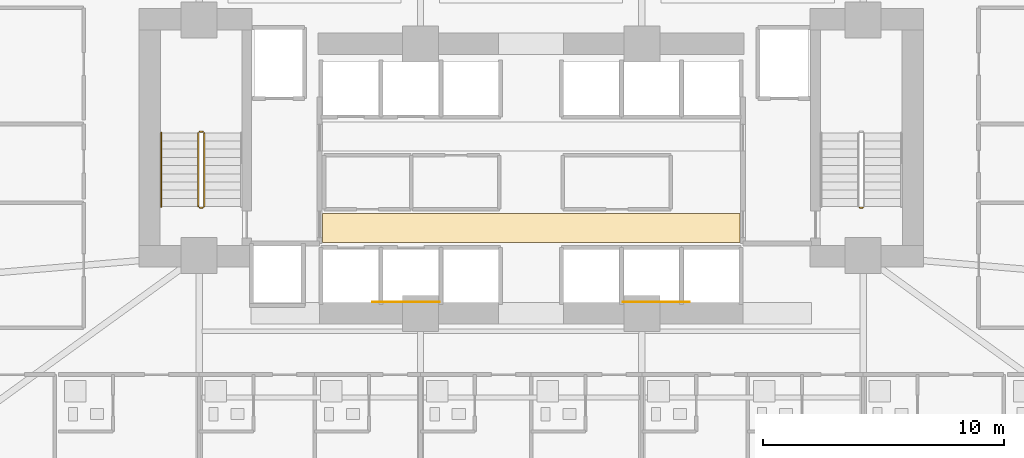
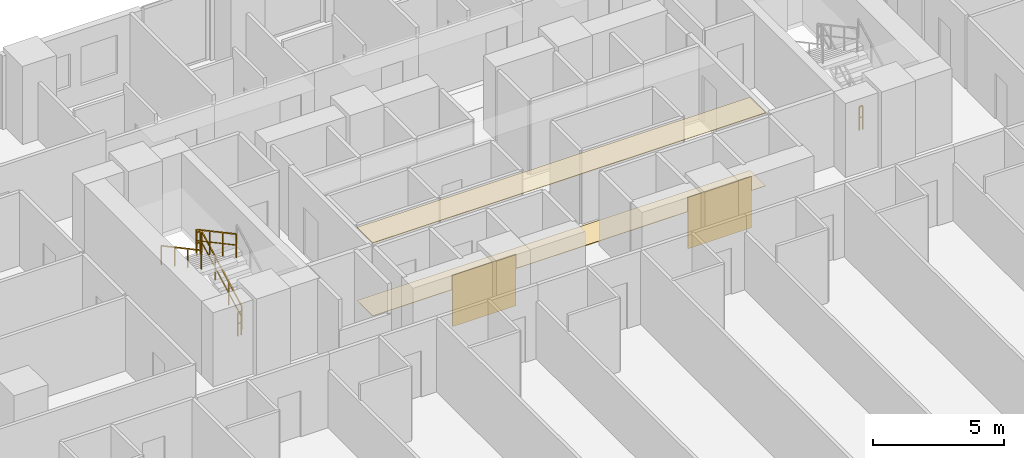
# One storey, part 26 of 29: 6 railings, 4 coverings.
"""IFC4 building model written with IfcOpenShell, lengths in metres."""

from ifc_helpers import new_model, si_unit, direction, frame, origin, origin_2d, place, context, subcontext, project, spatial, polyline, rectangle, outline, extrude, material, layer, layer_set, type_object, element, save


model = new_model("IFC4")

# Units and contexts
model_context = context("Model", 3, precision=1e-05, world=origin(), true_north=direction((0.0, 1.0)))
body_context = subcontext(model_context, "Body", "Model", "MODEL_VIEW")
ifc_project = project(units=[si_unit("LENGTHUNIT", "METRE"), si_unit("AREAUNIT", "SQUARE_METRE"), si_unit("VOLUMEUNIT", "CUBIC_METRE"), si_unit("PLANEANGLEUNIT", "RADIAN"), si_unit("MASSUNIT", "GRAM", prefix="KILO")], contexts=[model_context])

# Site, building, storey
site_placement = place(None, origin())
site = spatial("IfcSite", under=ifc_project, at=site_placement, CompositionType="ELEMENT")
building_placement = place(site_placement, origin())
building = spatial("IfcBuilding", under=site, at=building_placement, Name="Zuhayl Quay Hotel", CompositionType="ELEMENT")
storey_placement = place(building_placement, frame((0.0, 0.0, 64.10009765625)))
storey = spatial("IfcBuildingStorey", under=building, at=storey_placement, Name="L15", CompositionType="ELEMENT", Elevation=64.10009765625)

# Coverings
ifc_material_1 = material(Name="Acoustic Mineral-Fibre Gypsum Board")
ifc_layer_1 = layer(ifc_material_1, 0.02490234375, Name="Acoustic Mineral-Fibre Gypsum Board")
ifc_layer_set_1 = layer_set([ifc_layer_1], Name="Acoustic Mineral-Fibre Gypsum Board")
covering_type_1 = type_object("IfcCoveringType", Name="CV_CEIL_ACOUSTIC", PredefinedType="CEILING", material=ifc_layer_set_1)
covering_1_placement = place(storey_placement, frame((0.0, 0.0, 3.40478515625)))
element("IfcCovering", 1, at=covering_1_placement, inside=storey, type_object=covering_type_1, Name="L15 Suspended Acoustic Lobby Ceiling S", PredefinedType="CEILING", context=body_context, shape_type="SweptSolid", body=[
    extrude(outline(polyline([(-8.679931640625, 5.10009765625), (8.679931640625, 5.10009765625), (8.679931640625, 6.300048828125), (-8.679931640625, 6.300048828125), (-8.679931640625, 5.10009765625)])), origin(), (0.0, 0.0, 1.0), 0.025146484375),
])
ifc_material_2 = material(Name="Polished Limestone Terrazzo", Category="masonry")
ifc_layer_2 = layer(ifc_material_2, 0.02001953125, Name="Polished Limestone Terrazzo", Category="masonry")
ifc_layer_set_2 = layer_set([ifc_layer_2], Name="Polished Limestone Terrazzo")
covering_type_2 = type_object("IfcCoveringType", Name="CV_FLOOR_TERRAZZO", PredefinedType="FLOORING", material=ifc_layer_set_2)
covering_2_placement = place(storey_placement, origin())
element("IfcCovering", 2, at=covering_2_placement, inside=storey, type_object=covering_type_2, Name="L15 Honed Limestone Terrazzo Lobby Flooring S", PredefinedType="FLOORING", context=body_context, shape_type="SweptSolid", body=[
    extrude(outline(polyline([(-8.679931640625, 5.10009765625), (8.679931640625, 5.10009765625), (8.679931640625, 6.300048828125), (-8.679931640625, 6.300048828125), (-8.679931640625, 5.10009765625)])), origin(), (0.0, 0.0, 1.0), 0.02001953125),
])
ifc_material_3 = material(Name="Acoustic Walnut Feature Timber", Category="wood")
ifc_layer_3 = layer(ifc_material_3, 0.02197265625, Name="Acoustic Walnut Feature Timber", Category="wood")
ifc_layer_set_3 = layer_set([ifc_layer_3], Name="Acoustic Walnut Feature Timber")
covering_type_3 = type_object("IfcCoveringType", Name="CV_WALL_CLAD", PredefinedType="CLADDING", material=ifc_layer_set_3)
for number, where, z_axis, x_axis, name in (
    (3, (-5.199951171875, 2.611083984375, 0.300048828125), (0.0, 0.0, 1.0), (1.0, 0.0, 0.0), "L15 Feature Lobby Walnut Wall Cladding W"),
    (4, (5.199951171875, 2.611083984375, 0.300048828125), (0.0, 0.0, 1.0), (1.0, 0.0, 0.0), "L15 Feature Lobby Walnut Wall Cladding E"),
):
    element("IfcCovering", number, at=place(storey_placement, frame(where, z_axis=z_axis, x_axis=x_axis)), inside=storey, type_object=covering_type_3, Name=name, PredefinedType="CLADDING", context=body_context, shape_type="SweptSolid", body=[
        extrude(rectangle(XDim=2.800048828125, YDim=0.02197265625, at=origin_2d()), origin(), (0.0, 0.0, 1.0), 2.39990234375),
    ])

# Railings
ifc_material_4 = material(Name="Steel ASTM A992 Grade 50", Category="steel")
railing_type_1 = type_object("IfcRailingType", Name="RL_GUARD_1100", PredefinedType="GUARDRAIL", material=ifc_material_4)
railing_1_placement = place(storey_placement, frame((-13.590087890625, 6.590087890625, 0.182373046875)))
element("IfcRailing", 5, at=railing_1_placement, inside=storey, type_object=railing_type_1, Name="L15 ST1 stair guard 1", PredefinedType="GUARDRAIL", context=body_context, shape_type="SweptSolid", body=[
    extrude(rectangle(XDim=0.048095703125, YDim=0.048095703125, at=origin_2d()), frame((0.0, 0.0, 1.09619140625), z_axis=(0.0, 0.88107310026, 0.472980117973), x_axis=(-1.0, 0.0, 0.0)), (0.0, 0.0, 1.0), 3.472900390625),
    extrude(rectangle(XDim=0.0361328125, YDim=0.0361328125, at=origin_2d()), frame((0.0, 0.0, 0.58251953125), z_axis=(0.0, 0.88107310026, 0.472980117973), x_axis=(-1.0, 0.0, 0.0)), (0.0, 0.0, 1.0), 3.472900390625),
    extrude(rectangle(XDim=0.0419921875, YDim=0.0419921875, at=origin_2d()), origin(), (0.0, 0.0, 1.0), 1.072021484375),
    extrude(rectangle(XDim=0.0419921875, YDim=0.0419921875, at=origin_2d()), frame((0.0, 1.02001953125, 0.547607421875)), (0.0, 0.0, 1.0), 1.072021484375),
    extrude(rectangle(XDim=0.0419921875, YDim=0.0419921875, at=origin_2d()), frame((0.0, 2.039794921875, 1.094970703125)), (0.0, 0.0, 1.0), 1.072021484375),
    extrude(rectangle(XDim=0.0419921875, YDim=0.0419921875, at=origin_2d()), frame((0.0, 3.059814453125, 1.642578125)), (0.0, 0.0, 1.0), 1.072021484375),
])
railing_2_placement = place(storey_placement, frame((-13.639892578125, 9.699951171875, 1.824951171875)))
element("IfcRailing", 6, at=railing_2_placement, inside=storey, type_object=railing_type_1, Name="L15 ST1 stair guard 2", PredefinedType="GUARDRAIL", context=body_context, shape_type="SweptSolid", body=[
    extrude(rectangle(XDim=0.048095703125, YDim=0.048095703125, at=origin_2d()), frame((0.0, 0.0, 1.09619140625), z_axis=(-1.0, 0.0, 0.0), x_axis=(0.0, -1.0, 0.0)), (0.0, 0.0, 1.0), 0.150146484375),
    extrude(rectangle(XDim=0.0361328125, YDim=0.0361328125, at=origin_2d()), frame((0.0, 0.0, 0.58251953125), z_axis=(-1.0, 0.0, 0.0), x_axis=(0.0, -1.0, 0.0)), (0.0, 0.0, 1.0), 0.150146484375),
    extrude(rectangle(XDim=0.0419921875, YDim=0.0419921875, at=origin_2d()), origin(), (0.0, 0.0, 1.0), 1.072021484375),
    extrude(rectangle(XDim=0.0419921875, YDim=0.0419921875, at=origin_2d()), frame((-0.150146484375, 0.0, 0.0)), (0.0, 0.0, 1.0), 1.072021484375),
])
railing_3_placement = place(storey_placement, frame((-13.840087890625, 9.64990234375, 2.00732421875)))
element("IfcRailing", 7, at=railing_3_placement, inside=storey, type_object=railing_type_1, Name="L15 ST1 stair guard 3", PredefinedType="GUARDRAIL", context=body_context, shape_type="SweptSolid", body=[
    extrude(rectangle(XDim=0.048095703125, YDim=0.048095703125, at=origin_2d()), frame((0.0, 0.0, 1.09619140625), z_axis=(0.0, -0.88107310026, 0.472980117973), x_axis=(1.0, 0.0, 0.0)), (0.0, 0.0, 1.0), 3.472900390625),
    extrude(rectangle(XDim=0.0361328125, YDim=0.0361328125, at=origin_2d()), frame((0.0, 0.0, 0.58251953125), z_axis=(0.0, -0.88107310026, 0.472980117973), x_axis=(1.0, 0.0, 0.0)), (0.0, 0.0, 1.0), 3.472900390625),
    extrude(rectangle(XDim=0.0419921875, YDim=0.0419921875, at=origin_2d()), origin(), (0.0, 0.0, 1.0), 1.072021484375),
    extrude(rectangle(XDim=0.0419921875, YDim=0.0419921875, at=origin_2d()), frame((0.0, -1.02001953125, 0.547607421875)), (0.0, 0.0, 1.0), 1.072021484375),
    extrude(rectangle(XDim=0.0419921875, YDim=0.0419921875, at=origin_2d()), frame((0.0, -2.039794921875, 1.094970703125)), (0.0, 0.0, 1.0), 1.072021484375),
    extrude(rectangle(XDim=0.0419921875, YDim=0.0419921875, at=origin_2d()), frame((0.0, -3.059814453125, 1.642578125)), (0.0, 0.0, 1.0), 1.072021484375),
])
for number, where, name in (
    (8, (-13.639892578125, 6.5400390625, 0.0), "L15 ST1 stair guard 4"),
    (9, (13.7900390625, 6.5400390625, 0.0), "L15 ST2 stair guard 4"),
):
    element("IfcRailing", number, at=place(storey_placement, frame(where)), inside=storey, type_object=railing_type_1, Name=name, PredefinedType="GUARDRAIL", context=body_context, shape_type="SweptSolid", body=[
        extrude(rectangle(XDim=0.048095703125, YDim=0.048095703125, at=origin_2d()), frame((0.0, 0.0, 1.09619140625), z_axis=(-1.0, 0.0, 0.0), x_axis=(0.0, -1.0, 0.0)), (0.0, 0.0, 1.0), 0.150146484375),
        extrude(rectangle(XDim=0.0361328125, YDim=0.0361328125, at=origin_2d()), frame((0.0, 0.0, 0.58251953125), z_axis=(-1.0, 0.0, 0.0), x_axis=(0.0, -1.0, 0.0)), (0.0, 0.0, 1.0), 0.150146484375),
        extrude(rectangle(XDim=0.0419921875, YDim=0.0419921875, at=origin_2d()), origin(), (0.0, 0.0, 1.0), 1.072021484375),
        extrude(rectangle(XDim=0.0419921875, YDim=0.0419921875, at=origin_2d()), frame((-0.150146484375, 0.0, 0.0)), (0.0, 0.0, 1.0), 1.072021484375),
    ])
railing_type_2 = type_object("IfcRailingType", Name="RL_HANDRAIL_920", PredefinedType="HANDRAIL", material=ifc_material_4)
railing_4_placement = place(storey_placement, frame((-15.3798828125, 9.64990234375, 2.00732421875)))
element("IfcRailing", 10, at=railing_4_placement, inside=storey, type_object=railing_type_2, Name="L15 ST1 stair handrail 2", PredefinedType="HANDRAIL", context=body_context, shape_type="SweptSolid", body=[
    extrude(rectangle(XDim=0.048095703125, YDim=0.048095703125, at=origin_2d()), frame((0.0, 0.0, 0.8759765625), z_axis=(0.0, -0.88107310026, 0.472980117973), x_axis=(1.0, 0.0, 0.0)), (0.0, 0.0, 1.0), 3.472900390625),
    extrude(rectangle(XDim=0.0419921875, YDim=0.0419921875, at=origin_2d()), origin(), (0.0, 0.0, 1.0), 0.851806640625),
    extrude(rectangle(XDim=0.0419921875, YDim=0.0419921875, at=origin_2d()), frame((0.0, -1.02001953125, 0.547607421875)), (0.0, 0.0, 1.0), 0.851806640625),
    extrude(rectangle(XDim=0.0419921875, YDim=0.0419921875, at=origin_2d()), frame((0.0, -2.039794921875, 1.094970703125)), (0.0, 0.0, 1.0), 0.851806640625),
    extrude(rectangle(XDim=0.0419921875, YDim=0.0419921875, at=origin_2d()), frame((0.0, -3.059814453125, 1.642578125)), (0.0, 0.0, 1.0), 0.851806640625),
])

save(model, "model.ifc")
